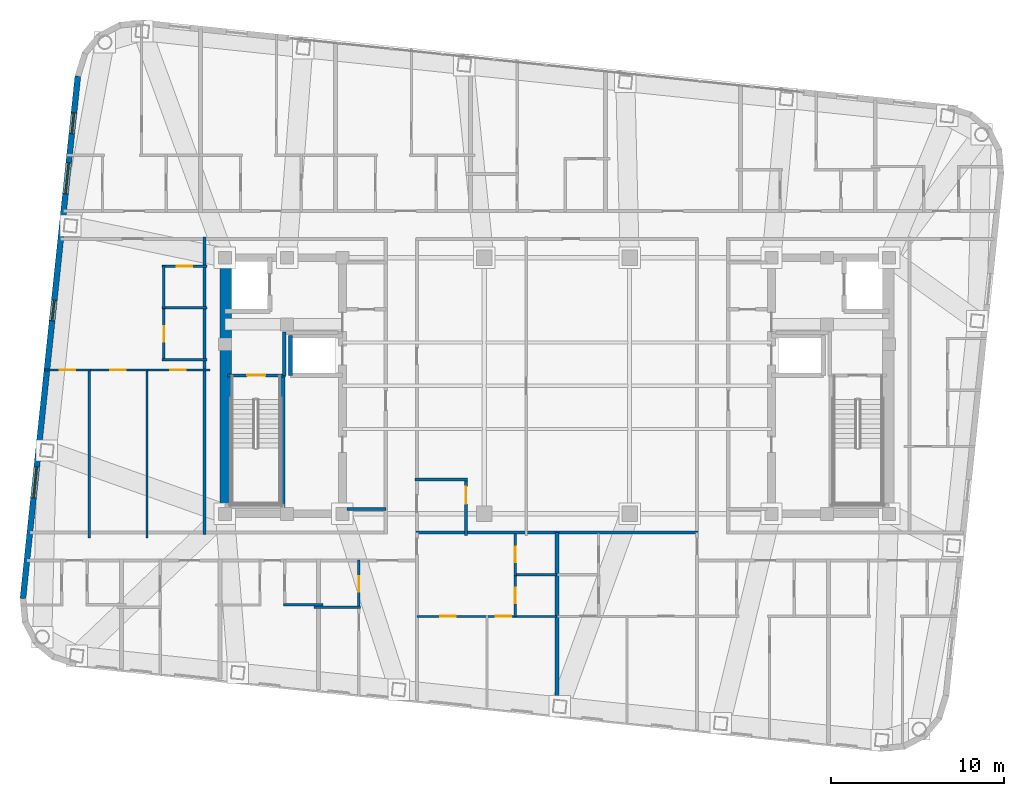
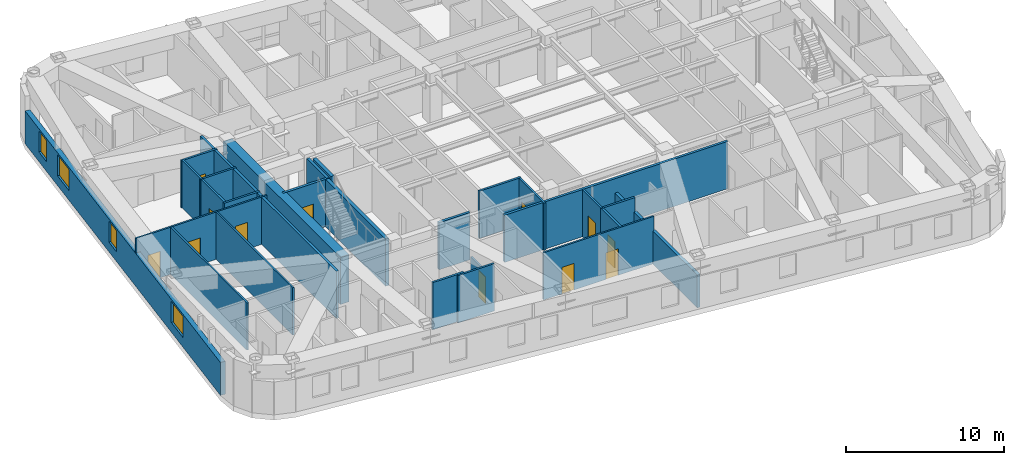
# One storey, part 9 of 16: 29 walls, 12 doors, 4 windows, 16 openings.
"""IFC4 building model written with IfcOpenShell, lengths in metres."""

from ifc_helpers import new_model, si_unit, direction, frame, frame_2d, origin, place, context, subcontext, project, spatial, rectangle, extrude, material, layer, layer_set, type_object, element, fill, save


model = new_model("IFC4")

# Units and contexts
model_context = context("Model", 3, precision=1e-05, world=origin(), true_north=direction((0.0, 1.0)))
body_context = subcontext(model_context, "Body", "Model", "MODEL_VIEW")
ifc_project = project(units=[si_unit("LENGTHUNIT", "METRE"), si_unit("AREAUNIT", "SQUARE_METRE"), si_unit("VOLUMEUNIT", "CUBIC_METRE"), si_unit("PLANEANGLEUNIT", "RADIAN"), si_unit("MASSUNIT", "GRAM", prefix="KILO")], contexts=[model_context])

# Site, building, storey
site_placement = place(None, origin())
site = spatial("IfcSite", under=ifc_project, at=site_placement, CompositionType="ELEMENT")
building_placement = place(site_placement, origin())
building = spatial("IfcBuilding", under=site, at=building_placement, Name="Voryun Gate Residences", CompositionType="ELEMENT")
storey_placement = place(building_placement, frame((0.0, 0.0, 260.0)))
storey = spatial("IfcBuildingStorey", under=building, at=storey_placement, Name="L64", CompositionType="ELEMENT", Elevation=260.0)

# Wall
ifc_material_1 = material(Name="Concrete C60/75", Category="concrete")
ifc_layer_1 = layer(ifc_material_1, 0.64990234375, Name="CW_CORE_650")
ifc_layer_set_1 = layer_set([ifc_layer_1], Name="Concrete C60/75")
wall_type_1 = type_object("IfcWallType", Name="CW_CORE_650", PredefinedType="SHEAR", material=ifc_layer_set_1)
wall_1_placement = place(storey_placement, frame((-19.14501953125, -7.39990234375, 0.0), z_axis=(0.0, 0.0, 1.0), x_axis=(0.0, 1.0, 0.0)))
element("IfcWall", 1, at=wall_1_placement, inside=storey, type_object=wall_type_1, Name="L64 Core shear wall CW-L64-WW", PredefinedType="SHEAR", context=body_context, shape_type="SweptSolid", body=[
    extrude(rectangle(XDim=14.7998046875, YDim=0.64990234375, at=frame_2d((7.39990234375, 0.0))), origin(), (0.0, 0.0, 1.0), 3.64990234375),
])

# Wall, opening, door
ifc_material_2 = material(Name="Gypsum acoustic fireboard")
ifc_layer_2 = layer(ifc_material_2, 0.179931640625, Name="W_CORR_RATED_180")
ifc_layer_set_2 = layer_set([ifc_layer_2], Name="Gypsum acoustic fireboard")
wall_type_2 = type_object("IfcWallType", Name="W_CORR_RATED_180", PredefinedType="PARTITIONING", material=ifc_layer_set_2)
wall_2_placement = place(storey_placement, frame((-19.06005859375, 0.60009765625, 0.0), z_axis=(0.0, 0.0, 1.0), x_axis=(1.0, 0.0, 0.0)))
wall_2 = element("IfcWall", 2, at=wall_2_placement, inside=storey, type_object=wall_type_2, Name="Partition wall WP-L64-STV-W", PredefinedType="PARTITIONING", context=body_context, shape_type="SweptSolid", body=[
    extrude(rectangle(XDim=3.360107421875, YDim=0.179931640625, at=frame_2d((1.68017578125, 0.0))), origin(), (0.0, 0.0, 1.0), 3.64990234375),
])
opening_1_placement = place(wall_2_placement, frame((1.155029296875, 0.0, 0.0)))
opening_1 = element("IfcOpeningElement", 3, at=opening_1_placement, cuts=wall_2, Name="Opening D-FD60-1", PredefinedType="OPENING", context=body_context, shape_type="SweptSolid", body=[
    extrude(rectangle(XDim=1.050048828125, YDim=2.050048828125, at=frame_2d((0.52490234375, 1.02490234375))), frame((0.0, 0.099853515625, 0.0), z_axis=(0.0, -1.0, 0.0), x_axis=(1.0, 0.0, 0.0)), (0.0, 0.0, 1.0), 0.199951171875),
])
ifc_material_3 = material(Name="Painted steel fire door", Category="steel")
door_type_1 = type_object("IfcDoorType", Name="DR_FD60_STAIR_1050", OperationType="NOTDEFINED", PredefinedType="DOOR", material=ifc_material_3)
door_1_placement = place(opening_1_placement, origin())
door_1 = element("IfcDoor", 4, at=door_1_placement, inside=storey, type_object=door_type_1, Name="Door DR-L64-ST-W", OperationType="SINGLE_SWING_LEFT", OverallHeight=2.050048828125, OverallWidth=1.050048828125, PredefinedType="DOOR", context=body_context, shape_type="SweptSolid", body=[
    extrude(rectangle(XDim=1.050048828125, YDim=2.050048828125, at=frame_2d((0.52490234375, 1.02490234375))), frame((0.0, 0.02490234375, 0.0), z_axis=(0.0, -1.0, 0.0), x_axis=(1.0, 0.0, 0.0)), (0.0, 0.0, 1.0), 0.050048828125),
])
fill(opening_1, door_1)

# Walls
wall_3_placement = place(storey_placement, frame((-12.14990234375, -7.1201171875, 0.0), z_axis=(0.0, 0.0, 1.0), x_axis=(1.0, 0.0, 0.0)))
element("IfcWall", 5, at=wall_3_placement, inside=storey, type_object=wall_type_2, Name="Partition wall WP-L64-PLBS-W", PredefinedType="PARTITIONING", context=body_context, shape_type="SweptSolid", body=[
    extrude(rectangle(XDim=2.27001953125, YDim=0.179931640625, at=frame_2d((1.135009765625, 0.0))), origin(), (0.0, 0.0, 1.0), 3.64990234375),
])
wall_4_placement = place(storey_placement, frame((-8.14990234375, -8.489990234375, 0.0), z_axis=(0.0, 0.0, 1.0), x_axis=(1.0, 0.0, 0.0)))
element("IfcWall", 6, at=wall_4_placement, inside=storey, type_object=wall_type_2, Name="Partition wall WP-L64-Z3S", PredefinedType="PARTITIONING", context=body_context, shape_type="SweptSolid", body=[
    extrude(rectangle(XDim=16.2998046875, YDim=0.179931640625, at=frame_2d((8.14990234375, 0.0))), origin(), (0.0, 0.0, 1.0), 3.64990234375),
])
wall_5_placement = place(storey_placement, frame((-20.3701171875, -8.610107421875, 0.0), z_axis=(0.0, 0.0, 1.0), x_axis=(0.0, 1.0, 0.0)))
element("IfcWall", 7, at=wall_5_placement, inside=storey, type_object=wall_type_2, Name="Partition wall WP-L64-WCOR", PredefinedType="PARTITIONING", context=body_context, shape_type="SweptSolid", body=[
    extrude(rectangle(XDim=17.22021484375, YDim=0.179931640625, at=frame_2d((8.610107421875, 0.0))), origin(), (0.0, 0.0, 1.0), 3.64990234375),
])

# Wall, openings, windows
ifc_material_4 = material(Name="Charcoal terracotta masonry", Category="masonry")
ifc_layer_3 = layer(ifc_material_4, 0.340087890625, Name="W_EXT_TERRACOTTA_340")
ifc_layer_set_3 = layer_set([ifc_layer_3], Name="Charcoal terracotta masonry")
wall_type_3 = type_object("IfcWallType", Name="W_EXT_TERRACOTTA_340", PredefinedType="ELEMENTEDWALL", material=ifc_layer_set_3)
wall_6_placement = place(storey_placement, frame((-30.8701171875, -12.295654296875, 0.0), z_axis=(0.0, 0.0, 1.0), x_axis=(0.104533282919, 0.994521388791, 0.0)))
wall_6 = element("IfcWall", 8, at=wall_6_placement, inside=storey, type_object=wall_type_3, Name="Exterior wall WEXT-L64-06", PredefinedType="ELEMENTEDWALL", context=body_context, shape_type="SweptSolid", body=[
    extrude(rectangle(XDim=30.366455078125, YDim=0.340087890625, at=frame_2d((15.18310546875, 0.0))), origin(), (0.0, 0.0, 1.0), 2.5400390625),
])
opening_2_placement = place(wall_6_placement, frame((5.841552734375, 0.0, 0.75)))
opening_2 = element("IfcOpeningElement", 9, at=opening_2_placement, cuts=wall_6, Name="Opening WN1", PredefinedType="OPENING", context=body_context, shape_type="SweptSolid", body=[
    extrude(rectangle(XDim=1.800048828125, YDim=1.6298828125, at=frame_2d((0.89990234375, 0.81494140625))), frame((0.0, 0.179931640625, 0.0), z_axis=(0.0, -1.0, 0.0), x_axis=(1.0, 0.0, 0.0)), (0.0, 0.0, 1.0), 0.360107421875),
])
opening_3_placement = place(wall_6_placement, frame((23.52490234375, 0.0, 0.75)))
opening_3 = element("IfcOpeningElement", 10, at=opening_3_placement, cuts=wall_6, Name="Opening WN1", PredefinedType="OPENING", context=body_context, shape_type="SweptSolid", body=[
    extrude(rectangle(XDim=1.800048828125, YDim=1.6298828125, at=frame_2d((0.89990234375, 0.81494140625))), frame((0.0, 0.179931640625, 0.0), z_axis=(0.0, -1.0, 0.0), x_axis=(1.0, 0.0, 0.0)), (0.0, 0.0, 1.0), 0.360107421875),
])
opening_4_placement = place(wall_6_placement, frame((27.0166015625, 0.0, 0.75)))
opening_4 = element("IfcOpeningElement", 11, at=opening_4_placement, cuts=wall_6, Name="Opening WN6", PredefinedType="OPENING", context=body_context, shape_type="SweptSolid", body=[
    extrude(rectangle(XDim=1.199951171875, YDim=1.6298828125, at=frame_2d((0.60009765625, 0.81494140625))), frame((0.0, 0.179931640625, 0.0), z_axis=(0.0, -1.0, 0.0), x_axis=(1.0, 0.0, 0.0)), (0.0, 0.0, 1.0), 0.360107421875),
])
opening_5_placement = place(wall_6_placement, frame((16.134521484375, 0.0, 0.75)))
opening_5 = element("IfcOpeningElement", 12, at=opening_5_placement, cuts=wall_6, Name="Opening WN6", PredefinedType="OPENING", context=body_context, shape_type="SweptSolid", body=[
    extrude(rectangle(XDim=1.199951171875, YDim=1.6298828125, at=frame_2d((0.60009765625, 0.81494140625))), frame((0.0, 0.179931640625, 0.0), z_axis=(0.0, -1.0, 0.0), x_axis=(1.0, 0.0, 0.0)), (0.0, 0.0, 1.0), 0.360107421875),
])
ifc_material_5 = material(Name="Laminated low-E glass", Category="glass")
window_type_1 = type_object("IfcWindowType", Name="WN_POD_SLOT_1200", PartitioningType="SINGLE_PANEL", PredefinedType="WINDOW", material=ifc_material_5)
window_1_placement = place(opening_4_placement, origin())
window_1 = element("IfcWindow", 13, at=window_1_placement, inside=storey, type_object=window_type_1, Name="Window WN-L64-DWFIX-01", OverallHeight=1.6298828125, OverallWidth=1.199951171875, PartitioningType="SINGLE_PANEL", PredefinedType="WINDOW", context=body_context, shape_type="SweptSolid", body=[
    extrude(rectangle(XDim=1.199951171875, YDim=1.6298828125, at=frame_2d((0.60009765625, 0.81494140625))), frame((0.0, 0.030029296875, 0.0), z_axis=(0.0, -1.0, 0.0), x_axis=(1.0, 0.0, 0.0)), (0.0, 0.0, 1.0), 0.06005859375),
])
fill(opening_4, window_1)
window_2_placement = place(opening_5_placement, origin())
window_2 = element("IfcWindow", 14, at=window_2_placement, inside=storey, type_object=window_type_1, Name="Window WN-L64-DWFIX-18", OverallHeight=1.6298828125, OverallWidth=1.199951171875, PartitioningType="SINGLE_PANEL", PredefinedType="WINDOW", context=body_context, shape_type="SweptSolid", body=[
    extrude(rectangle(XDim=1.199951171875, YDim=1.6298828125, at=frame_2d((0.60009765625, 0.81494140625))), frame((0.0, 0.030029296875, 0.0), z_axis=(0.0, -1.0, 0.0), x_axis=(1.0, 0.0, 0.0)), (0.0, 0.0, 1.0), 0.06005859375),
])
fill(opening_5, window_2)
ifc_material_6 = material(Name="Laminated low-E glass", Category="glass")
window_type_2 = type_object("IfcWindowType", Name="WN_RES_PUNCH_1800", PartitioningType="SINGLE_PANEL", PredefinedType="WINDOW", material=ifc_material_6)
window_3_placement = place(opening_2_placement, origin())
window_3 = element("IfcWindow", 15, at=window_3_placement, inside=storey, type_object=window_type_2, Name="Window WN-WEXT-L64-06-01", OverallHeight=1.6298828125, OverallWidth=1.800048828125, PartitioningType="SINGLE_PANEL", PredefinedType="WINDOW", context=body_context, shape_type="SweptSolid", body=[
    extrude(rectangle(XDim=1.800048828125, YDim=1.6298828125, at=frame_2d((0.89990234375, 0.81494140625))), frame((0.0, 0.030029296875, 0.0), z_axis=(0.0, -1.0, 0.0), x_axis=(1.0, 0.0, 0.0)), (0.0, 0.0, 1.0), 0.06005859375),
])
fill(opening_2, window_3)
window_4_placement = place(opening_3_placement, origin())
window_4 = element("IfcWindow", 16, at=window_4_placement, inside=storey, type_object=window_type_2, Name="Window WN-WEXT-L64-06-02", OverallHeight=1.6298828125, OverallWidth=1.800048828125, PartitioningType="SINGLE_PANEL", PredefinedType="WINDOW", context=body_context, shape_type="SweptSolid", body=[
    extrude(rectangle(XDim=1.800048828125, YDim=1.6298828125, at=frame_2d((0.89990234375, 0.81494140625))), frame((0.0, 0.030029296875, 0.0), z_axis=(0.0, -1.0, 0.0), x_axis=(1.0, 0.0, 0.0)), (0.0, 0.0, 1.0), 0.06005859375),
])
fill(opening_3, window_4)

# Walls
ifc_material_7 = material(Name="Concrete C40/50", Category="concrete")
ifc_layer_4 = layer(ifc_material_7, 0.199951171875, Name="W_FF_LOBBY_200")
ifc_layer_set_4 = layer_set([ifc_layer_4], Name="Concrete C40/50")
wall_type_4 = type_object("IfcWallType", Name="W_FF_LOBBY_200", PredefinedType="PARTITIONING", material=ifc_layer_set_4)
wall_7_placement = place(storey_placement, frame((-15.760009765625, 0.580078125, 0.0), z_axis=(0.0, 0.0, 1.0), x_axis=(0.0, 1.0, 0.0)))
element("IfcWall", 17, at=wall_7_placement, inside=storey, type_object=wall_type_4, Name="Partition wall WP-L64-FFP0-W", PredefinedType="PARTITIONING", context=body_context, shape_type="SweptSolid", body=[
    extrude(rectangle(XDim=2.52001953125, YDim=0.199951171875, at=frame_2d((1.260009765625, 0.0))), origin(), (0.0, 0.0, 1.0), 3.64990234375),
])
ifc_material_8 = material(Name="Concrete C40/50", Category="concrete")
ifc_layer_5 = layer(ifc_material_8, 0.219970703125, Name="W_PARTY_ACOUSTIC_220")
ifc_layer_set_5 = layer_set([ifc_layer_5], Name="Concrete C40/50")
wall_type_5 = type_object("IfcWallType", Name="W_PARTY_ACOUSTIC_220", PredefinedType="PARTITIONING", material=ifc_layer_set_5)
wall_8_placement = place(storey_placement, frame((0.0, -19.005859375, 0.0), z_axis=(0.0, 0.0, 1.0), x_axis=(0.0, 1.0, 0.0)))
element("IfcWall", 18, at=wall_8_placement, inside=storey, type_object=wall_type_5, Name="Partition wall WP-L64-SZMID", PredefinedType="PARTITIONING", context=body_context, shape_type="SweptSolid", body=[
    extrude(rectangle(XDim=10.515869140625, YDim=0.219970703125, at=frame_2d((5.2578125, 0.0))), origin(), (0.0, 0.0, 1.0), 2.5400390625),
])
ifc_material_9 = material(Name="Concrete C50/60", Category="concrete")
ifc_layer_6 = layer(ifc_material_9, 0.25, Name="W_SHAFT_RC250")
ifc_layer_set_6 = layer_set([ifc_layer_6], Name="Concrete C50/60")
wall_type_6 = type_object("IfcWallType", Name="W_SHAFT_RC250", PredefinedType="SOLIDWALL", material=ifc_layer_set_6)
wall_9_placement = place(storey_placement, frame((-15.860107421875, -7.0849609375, 0.0), z_axis=(0.0, 0.0, 1.0), x_axis=(0.0, 1.0, 0.0)))
element("IfcWall", 19, at=wall_9_placement, inside=storey, type_object=wall_type_6, Name="L64 Stair shaft structural wall W-STR", PredefinedType="SOLIDWALL", context=body_context, shape_type="SweptSolid", body=[
    extrude(rectangle(XDim=7.68505859375, YDim=0.25, at=frame_2d((3.842529296875, 0.0))), origin(), (0.0, 0.0, 1.0), 3.64990234375),
])
wall_10_placement = place(storey_placement, frame((-15.39990234375, 2.89990234375, 0.0), z_axis=(0.0, 0.0, 1.0), x_axis=(0.0, -1.0, 0.0)))
element("IfcWall", 20, at=wall_10_placement, inside=storey, type_object=wall_type_6, Name="Lift shaft wall WSH-L64-EL-P7-W", PredefinedType="SOLIDWALL", context=body_context, shape_type="SweptSolid", body=[
    extrude(rectangle(XDim=2.2998046875, YDim=0.25, at=frame_2d((1.14990234375, 0.0))), origin(), (0.0, 0.0, 1.0), 3.64990234375),
])

# Wall, openings, doors
ifc_material_10 = material(Name="Gypsum acoustic partition")
ifc_layer_7 = layer(ifc_material_10, 0.125, Name="W_UNIT_PART_125")
ifc_layer_set_7 = layer_set([ifc_layer_7], Name="Gypsum acoustic partition")
wall_type_7 = type_object("IfcWallType", Name="W_UNIT_PART_125", PredefinedType="PARTITIONING", material=ifc_layer_set_7)
wall_11_placement = place(storey_placement, frame((-8.080078125, -13.330078125, 0.0), z_axis=(0.0, 0.0, 1.0), x_axis=(1.0, 0.0, 0.0)))
wall_11 = element("IfcWall", 21, at=wall_11_placement, inside=storey, type_object=wall_type_7, Name="Partition wall WP-L64-SC1-HZ", PredefinedType="PARTITIONING", context=body_context, shape_type="SweptSolid", body=[
    extrude(rectangle(XDim=8.06005859375, YDim=0.125, at=frame_2d((4.030029296875, 0.0))), origin(), (0.0, 0.0, 1.0), 3.64990234375),
])
opening_6_placement = place(wall_11_placement, frame((1.3232421875, 0.0, 0.0)))
opening_6 = element("IfcOpeningElement", 22, at=opening_6_placement, cuts=wall_11, Name="Opening D-INT-2", PredefinedType="OPENING", context=body_context, shape_type="SweptSolid", body=[
    extrude(rectangle(XDim=0.89990234375, YDim=2.050048828125, at=frame_2d((0.449951171875, 1.02490234375))), frame((0.0, 0.072509765625, 0.0), z_axis=(0.0, -1.0, 0.0), x_axis=(1.0, 0.0, 0.0)), (0.0, 0.0, 1.0), 0.14501953125),
])
opening_7_placement = place(wall_11_placement, frame((4.547119140625, 0.0, 0.0)))
opening_7 = element("IfcOpeningElement", 23, at=opening_7_placement, cuts=wall_11, Name="Opening D-INT-2", PredefinedType="OPENING", context=body_context, shape_type="SweptSolid", body=[
    extrude(rectangle(XDim=0.89990234375, YDim=2.050048828125, at=frame_2d((0.449951171875, 1.02490234375))), frame((0.0, 0.072509765625, 0.0), z_axis=(0.0, -1.0, 0.0), x_axis=(1.0, 0.0, 0.0)), (0.0, 0.0, 1.0), 0.14501953125),
])
ifc_material_11 = material(Name="Architectural oak veneer")
door_type_2 = type_object("IfcDoorType", Name="DR_INT_BATH_900", OperationType="NOTDEFINED", PredefinedType="DOOR", material=ifc_material_11)
door_2_placement = place(opening_6_placement, origin())
door_2 = element("IfcDoor", 24, at=door_2_placement, inside=storey, type_object=door_type_2, Name="Door DR-L64-SC1-DMB", OperationType="SINGLE_SWING_LEFT", OverallHeight=2.050048828125, OverallWidth=0.89990234375, PredefinedType="DOOR", context=body_context, shape_type="SweptSolid", body=[
    extrude(rectangle(XDim=0.89990234375, YDim=2.050048828125, at=frame_2d((0.449951171875, 1.02490234375))), frame((0.0, 0.02490234375, 0.0), z_axis=(0.0, -1.0, 0.0), x_axis=(1.0, 0.0, 0.0)), (0.0, 0.0, 1.0), 0.050048828125),
])
fill(opening_6, door_2)
door_3_placement = place(opening_7_placement, origin())
door_3 = element("IfcDoor", 25, at=door_3_placement, inside=storey, type_object=door_type_2, Name="Door DR-L64-SC1-DBD2", OperationType="SINGLE_SWING_RIGHT", OverallHeight=2.050048828125, OverallWidth=0.89990234375, PredefinedType="DOOR", context=body_context, shape_type="SweptSolid", body=[
    extrude(rectangle(XDim=0.89990234375, YDim=2.050048828125, at=frame_2d((0.449951171875, 1.02490234375))), frame((0.0, 0.02490234375, 0.0), z_axis=(0.0, -1.0, 0.0), x_axis=(1.0, 0.0, 0.0)), (0.0, 0.0, 1.0), 0.050048828125),
])
fill(opening_7, door_3)

# Wall, opening, door
wall_12_placement = place(storey_placement, frame((-2.409912109375, -10.9599609375, 0.0), z_axis=(0.0, 0.0, 1.0), x_axis=(0.0, 1.0, 0.0)))
wall_12 = element("IfcWall", 26, at=wall_12_placement, inside=storey, type_object=wall_type_7, Name="Partition wall WP-L64-SC1-VK1", PredefinedType="PARTITIONING", context=body_context, shape_type="SweptSolid", body=[
    extrude(rectangle(XDim=2.409912109375, YDim=0.125, at=frame_2d((1.205078125, 0.0))), origin(), (0.0, 0.0, 1.0), 3.64990234375),
])
opening_8_placement = place(wall_12_placement, frame((0.7548828125, 0.0, 0.0)))
opening_8 = element("IfcOpeningElement", 27, at=opening_8_placement, cuts=wall_12, Name="Opening D-INT-2", PredefinedType="OPENING", context=body_context, shape_type="SweptSolid", body=[
    extrude(rectangle(XDim=0.89990234375, YDim=2.050048828125, at=frame_2d((0.449951171875, 1.02490234375))), frame((0.0, 0.072509765625, 0.0), z_axis=(0.0, -1.0, 0.0), x_axis=(1.0, 0.0, 0.0)), (0.0, 0.0, 1.0), 0.14501953125),
])
door_4_placement = place(opening_8_placement, origin())
door_4 = element("IfcDoor", 28, at=door_4_placement, inside=storey, type_object=door_type_2, Name="Door DR-L64-SC1-DK", OperationType="SINGLE_SWING_LEFT", OverallHeight=2.050048828125, OverallWidth=0.89990234375, PredefinedType="DOOR", context=body_context, shape_type="SweptSolid", body=[
    extrude(rectangle(XDim=0.89990234375, YDim=2.050048828125, at=frame_2d((0.449951171875, 1.02490234375))), frame((0.0, 0.02490234375, 0.0), z_axis=(0.0, -1.0, 0.0), x_axis=(1.0, 0.0, 0.0)), (0.0, 0.0, 1.0), 0.050048828125),
])
fill(opening_8, door_4)

wall_13_placement = place(storey_placement, frame((-29.633056640625, 0.909912109375, 0.0), z_axis=(0.0, 0.0, 1.0), x_axis=(1.0, 0.0, 0.0)))
wall_13 = element("IfcWall", 29, at=wall_13_placement, inside=storey, type_object=wall_type_7, Name="Partition wall WP-L64-W1-HZMB1", PredefinedType="PARTITIONING", context=body_context, shape_type="SweptSolid", body=[
    extrude(rectangle(XDim=2.654541015625, YDim=0.125, at=frame_2d((1.3271484375, 0.0))), origin(), (0.0, 0.0, 1.0), 3.64990234375),
])
opening_9_placement = place(wall_13_placement, frame((0.885986328125, 0.0, 0.0)))
opening_9 = element("IfcOpeningElement", 30, at=opening_9_placement, cuts=wall_13, Name="Opening D-INT-2", PredefinedType="OPENING", context=body_context, shape_type="SweptSolid", body=[
    extrude(rectangle(XDim=0.89990234375, YDim=2.050048828125, at=frame_2d((0.449951171875, 1.02490234375))), frame((0.0, 0.072509765625, 0.0), z_axis=(0.0, -1.0, 0.0), x_axis=(1.0, 0.0, 0.0)), (0.0, 0.0, 1.0), 0.14501953125),
])
door_5_placement = place(opening_9_placement, origin())
door_5 = element("IfcDoor", 31, at=door_5_placement, inside=storey, type_object=door_type_2, Name="Door DR-L64-W1-DMB", OperationType="SINGLE_SWING_LEFT", OverallHeight=2.050048828125, OverallWidth=0.89990234375, PredefinedType="DOOR", context=body_context, shape_type="SweptSolid", body=[
    extrude(rectangle(XDim=0.89990234375, YDim=2.050048828125, at=frame_2d((0.449951171875, 1.02490234375))), frame((0.0, 0.02490234375, 0.0), z_axis=(0.0, -1.0, 0.0), x_axis=(1.0, 0.0, 0.0)), (0.0, 0.0, 1.0), 0.050048828125),
])
fill(opening_9, door_5)

wall_14_placement = place(storey_placement, frame((-27.103515625, 0.909912109375, 0.0), z_axis=(0.0, 0.0, 1.0), x_axis=(1.0, 0.0, 0.0)))
wall_14 = element("IfcWall", 32, at=wall_14_placement, inside=storey, type_object=wall_type_7, Name="Partition wall WP-L64-W1-HZMB2", PredefinedType="PARTITIONING", context=body_context, shape_type="SweptSolid", body=[
    extrude(rectangle(XDim=3.4609375, YDim=0.125, at=frame_2d((1.73046875, 0.0))), origin(), (0.0, 0.0, 1.0), 3.64990234375),
])
opening_10_placement = place(wall_14_placement, frame((1.280517578125, 0.0, 0.0)))
opening_10 = element("IfcOpeningElement", 33, at=opening_10_placement, cuts=wall_14, Name="Opening D-INT-2", PredefinedType="OPENING", context=body_context, shape_type="SweptSolid", body=[
    extrude(rectangle(XDim=0.89990234375, YDim=2.050048828125, at=frame_2d((0.449951171875, 1.02490234375))), frame((0.0, 0.072509765625, 0.0), z_axis=(0.0, -1.0, 0.0), x_axis=(1.0, 0.0, 0.0)), (0.0, 0.0, 1.0), 0.14501953125),
])
door_6_placement = place(opening_10_placement, origin())
door_6 = element("IfcDoor", 34, at=door_6_placement, inside=storey, type_object=door_type_2, Name="Door DR-L64-W1-DBD2", OperationType="SINGLE_SWING_RIGHT", OverallHeight=2.050048828125, OverallWidth=0.89990234375, PredefinedType="DOOR", context=body_context, shape_type="SweptSolid", body=[
    extrude(rectangle(XDim=0.89990234375, YDim=2.050048828125, at=frame_2d((0.449951171875, 1.02490234375))), frame((0.0, 0.02490234375, 0.0), z_axis=(0.0, -1.0, 0.0), x_axis=(1.0, 0.0, 0.0)), (0.0, 0.0, 1.0), 0.050048828125),
])
fill(opening_10, door_6)

wall_15_placement = place(storey_placement, frame((-23.767578125, 0.909912109375, 0.0), z_axis=(0.0, 0.0, 1.0), x_axis=(1.0, 0.0, 0.0)))
wall_15 = element("IfcWall", 35, at=wall_15_placement, inside=storey, type_object=wall_type_7, Name="Partition wall WP-L64-W1-HZMB3", PredefinedType="PARTITIONING", context=body_context, shape_type="SweptSolid", body=[
    extrude(rectangle(XDim=3.717529296875, YDim=0.125, at=frame_2d((1.85888671875, 0.0))), origin(), (0.0, 0.0, 1.0), 3.64990234375),
])
opening_11_placement = place(wall_15_placement, frame((1.39990234375, 0.0, 0.0)))
opening_11 = element("IfcOpeningElement", 36, at=opening_11_placement, cuts=wall_15, Name="Opening D-INT-2", PredefinedType="OPENING", context=body_context, shape_type="SweptSolid", body=[
    extrude(rectangle(XDim=0.89990234375, YDim=2.050048828125, at=frame_2d((0.449951171875, 1.02490234375))), frame((0.0, 0.072509765625, 0.0), z_axis=(0.0, -1.0, 0.0), x_axis=(1.0, 0.0, 0.0)), (0.0, 0.0, 1.0), 0.14501953125),
])
door_7_placement = place(opening_11_placement, origin())
door_7 = element("IfcDoor", 37, at=door_7_placement, inside=storey, type_object=door_type_2, Name="Door DR-L64-W1-DBD3", OperationType="SINGLE_SWING_LEFT", OverallHeight=2.050048828125, OverallWidth=0.89990234375, PredefinedType="DOOR", context=body_context, shape_type="SweptSolid", body=[
    extrude(rectangle(XDim=0.89990234375, YDim=2.050048828125, at=frame_2d((0.449951171875, 1.02490234375))), frame((0.0, 0.02490234375, 0.0), z_axis=(0.0, -1.0, 0.0), x_axis=(1.0, 0.0, 0.0)), (0.0, 0.0, 1.0), 0.050048828125),
])
fill(opening_11, door_7)

# Walls
for number, where, z_axis, x_axis, name in (
    (38, (-23.705078125, -8.81005859375, 0.0), (0.0, 0.0, 1.0), (0.0, 1.0, 0.0), "Partition wall WP-L64-W1-VMB2"),
    (39, (-27.041015625, -8.81005859375, 0.0), (0.0, 0.0, 1.0), (0.0, 1.0, 0.0), "Partition wall WP-L64-W1-VMB"),
):
    element("IfcWall", number, at=place(storey_placement, frame(where, z_axis=z_axis, x_axis=x_axis)), inside=storey, type_object=wall_type_7, Name=name, PredefinedType="PARTITIONING", context=body_context, shape_type="SweptSolid", body=[
        extrude(rectangle(XDim=9.780029296875, YDim=0.125, at=frame_2d((4.89013671875, 0.0))), origin(), (0.0, 0.0, 1.0), 3.64990234375),
    ])

# Wall, opening, door
ifc_material_12 = material(Name="Gypsum moisture-resistant partition")
ifc_layer_8 = layer(ifc_material_12, 0.14990234375, Name="W_WET_PLUMB_150")
ifc_layer_set_8 = layer_set([ifc_layer_8], Name="Gypsum moisture-resistant partition")
wall_type_8 = type_object("IfcWallType", Name="W_WET_PLUMB_150", PredefinedType="PLUMBINGWALL", material=ifc_layer_set_8)
wall_16_placement = place(storey_placement, frame((-5.260009765625, -8.669921875, 0.0), z_axis=(0.0, 0.0, 1.0), x_axis=(0.0, 1.0, 0.0)))
wall_16 = element("IfcWall", 40, at=wall_16_placement, inside=storey, type_object=wall_type_8, Name="Partition wall WP-L64-CMWCX", PredefinedType="PLUMBINGWALL", context=body_context, shape_type="SweptSolid", body=[
    extrude(rectangle(XDim=3.349853515625, YDim=0.14990234375, at=frame_2d((1.6748046875, 0.0))), origin(), (0.0, 0.0, 1.0), 3.64990234375),
])
opening_12_placement = place(wall_16_placement, frame((1.8349609375, 0.0, 0.0)))
opening_12 = element("IfcOpeningElement", 41, at=opening_12_placement, cuts=wall_16, Name="Opening D-AWC-1", PredefinedType="OPENING", context=body_context, shape_type="SweptSolid", body=[
    extrude(rectangle(XDim=1.0, YDim=2.050048828125, at=frame_2d((0.5, 1.02490234375))), frame((0.0, 0.0849609375, 0.0), z_axis=(0.0, -1.0, 0.0), x_axis=(1.0, 0.0, 0.0)), (0.0, 0.0, 1.0), 0.169921875),
])
ifc_material_13 = material(Name="Architectural oak veneer")
door_type_3 = type_object("IfcDoorType", Name="DR_ACC_WC_1000", OperationType="NOTDEFINED", PredefinedType="DOOR", material=ifc_material_13)
door_8_placement = place(opening_12_placement, origin())
door_8 = element("IfcDoor", 42, at=door_8_placement, inside=storey, type_object=door_type_3, Name="Door DR-L64-CMWC", OperationType="SINGLE_SWING_LEFT", OverallHeight=2.050048828125, OverallWidth=1.0, PredefinedType="DOOR", context=body_context, shape_type="SweptSolid", body=[
    extrude(rectangle(XDim=1.0, YDim=2.050048828125, at=frame_2d((0.5, 1.02490234375))), frame((0.0, 0.02490234375, 0.0), z_axis=(0.0, -1.0, 0.0), x_axis=(1.0, 0.0, 0.0)), (0.0, 0.0, 1.0), 0.050048828125),
])
fill(opening_12, door_8)

# Walls
wall_17_placement = place(storey_placement, frame((-8.2099609375, -5.419921875, 0.0), z_axis=(0.0, 0.0, 1.0), x_axis=(1.0, 0.0, 0.0)))
element("IfcWall", 43, at=wall_17_placement, inside=storey, type_object=wall_type_8, Name="Partition wall WP-L64-CMWCY", PredefinedType="PLUMBINGWALL", context=body_context, shape_type="SweptSolid", body=[
    extrude(rectangle(XDim=3.050048828125, YDim=0.14990234375, at=frame_2d((1.52490234375, 0.0))), origin(), (0.0, 0.0, 1.0), 3.64990234375),
])
wall_18_placement = place(storey_placement, frame((-15.7958984375, -12.669921875, 0.0), z_axis=(0.0, 0.0, 1.0), x_axis=(1.0, 0.0, 0.0)))
element("IfcWall", 44, at=wall_18_placement, inside=storey, type_object=wall_type_8, Name="Partition wall WP-L64-S3-CHB", PredefinedType="PLUMBINGWALL", context=body_context, shape_type="SweptSolid", body=[
    extrude(rectangle(XDim=2.27685546875, YDim=0.14990234375, at=frame_2d((1.138427734375, 0.0))), origin(), (0.0, 0.0, 1.0), 3.64990234375),
])
wall_19_placement = place(storey_placement, frame((-14.0390625, -12.800048828125, 0.0), z_axis=(0.0, 0.0, 1.0), x_axis=(1.0, 0.0, 0.0)))
element("IfcWall", 45, at=wall_19_placement, inside=storey, type_object=wall_type_8, Name="Partition wall WP-L64-S4-SKB", PredefinedType="PLUMBINGWALL", context=body_context, shape_type="SweptSolid", body=[
    extrude(rectangle(XDim=2.671142578125, YDim=0.14990234375, at=frame_2d((1.33544921875, 0.0))), origin(), (0.0, 0.0, 1.0), 3.64990234375),
])

# Wall, opening, door
wall_20_placement = place(storey_placement, frame((-11.447998046875, -12.840087890625, 0.0), z_axis=(0.0, 0.0, 1.0), x_axis=(0.0, 1.0, 0.0)))
wall_20 = element("IfcWall", 46, at=wall_20_placement, inside=storey, type_object=wall_type_8, Name="Partition wall WP-L64-S4-SVT2", PredefinedType="PLUMBINGWALL", context=body_context, shape_type="SweptSolid", body=[
    extrude(rectangle(XDim=2.760009765625, YDim=0.14990234375, at=frame_2d((1.3798828125, 0.0))), origin(), (0.0, 0.0, 1.0), 2.5400390625),
])
opening_13_placement = place(wall_20_placement, frame((0.929931640625, 0.0, 0.0)))
opening_13 = element("IfcOpeningElement", 47, at=opening_13_placement, cuts=wall_20, Name="Opening D-INT-2", PredefinedType="OPENING", context=body_context, shape_type="SweptSolid", body=[
    extrude(rectangle(XDim=0.89990234375, YDim=2.050048828125, at=frame_2d((0.449951171875, 1.02490234375))), frame((0.0, 0.0849609375, 0.0), z_axis=(0.0, -1.0, 0.0), x_axis=(1.0, 0.0, 0.0)), (0.0, 0.0, 1.0), 0.169921875),
])
door_9_placement = place(opening_13_placement, origin())
door_9 = element("IfcDoor", 48, at=door_9_placement, inside=storey, type_object=door_type_2, Name="Door DR-L64-S4-DB", OperationType="SINGLE_SWING_RIGHT", OverallHeight=2.050048828125, OverallWidth=0.89990234375, PredefinedType="DOOR", context=body_context, shape_type="SweptSolid", body=[
    extrude(rectangle(XDim=0.89990234375, YDim=2.050048828125, at=frame_2d((0.449951171875, 1.02490234375))), frame((0.0, 0.02490234375, 0.0), z_axis=(0.0, -1.0, 0.0), x_axis=(1.0, 0.0, 0.0)), (0.0, 0.0, 1.0), 0.050048828125),
])
fill(opening_13, door_9)

wall_21_placement = place(storey_placement, frame((-2.409912109375, -13.3701171875, 0.0), z_axis=(0.0, 0.0, 1.0), x_axis=(0.0, 1.0, 0.0)))
wall_21 = element("IfcWall", 49, at=wall_21_placement, inside=storey, type_object=wall_type_8, Name="Partition wall WP-L64-SC1-VK2", PredefinedType="PLUMBINGWALL", context=body_context, shape_type="SweptSolid", body=[
    extrude(rectangle(XDim=2.47021484375, YDim=0.14990234375, at=frame_2d((1.235107421875, 0.0))), origin(), (0.0, 0.0, 1.0), 3.64990234375),
])
opening_14_placement = place(wall_21_placement, frame((0.784912109375, 0.0, 0.0)))
opening_14 = element("IfcOpeningElement", 50, at=opening_14_placement, cuts=wall_21, Name="Opening D-INT-2", PredefinedType="OPENING", context=body_context, shape_type="SweptSolid", body=[
    extrude(rectangle(XDim=0.89990234375, YDim=2.050048828125, at=frame_2d((0.449951171875, 1.02490234375))), frame((0.0, 0.0849609375, 0.0), z_axis=(0.0, -1.0, 0.0), x_axis=(1.0, 0.0, 0.0)), (0.0, 0.0, 1.0), 0.169921875),
])
door_10_placement = place(opening_14_placement, origin())
door_10 = element("IfcDoor", 51, at=door_10_placement, inside=storey, type_object=door_type_2, Name="Door DR-L64-SC1-DB", OperationType="SINGLE_SWING_RIGHT", OverallHeight=2.050048828125, OverallWidth=0.89990234375, PredefinedType="DOOR", context=body_context, shape_type="SweptSolid", body=[
    extrude(rectangle(XDim=0.89990234375, YDim=2.050048828125, at=frame_2d((0.449951171875, 1.02490234375))), frame((0.0, 0.02490234375, 0.0), z_axis=(0.0, -1.0, 0.0), x_axis=(1.0, 0.0, 0.0)), (0.0, 0.0, 1.0), 0.050048828125),
])
fill(opening_14, door_10)

# Wall
wall_22_placement = place(storey_placement, frame((-2.449951171875, -10.929931640625, 0.0), z_axis=(0.0, 0.0, 1.0), x_axis=(1.0, 0.0, 0.0)))
element("IfcWall", 52, at=wall_22_placement, inside=storey, type_object=wall_type_8, Name="Partition wall WP-L64-SC1-HKB", PredefinedType="PLUMBINGWALL", context=body_context, shape_type="SweptSolid", body=[
    extrude(rectangle(XDim=2.429931640625, YDim=0.14990234375, at=frame_2d((1.21484375, 0.0))), origin(), (0.0, 0.0, 1.0), 3.64990234375),
])

# Wall, opening, door
wall_23_placement = place(storey_placement, frame((-22.840087890625, 6.89990234375, 0.0), z_axis=(0.0, 0.0, 1.0), x_axis=(1.0, 0.0, 0.0)))
wall_23 = element("IfcWall", 53, at=wall_23_placement, inside=storey, type_object=wall_type_8, Name="Partition wall WP-L64-W1-IBT", PredefinedType="PLUMBINGWALL", context=body_context, shape_type="SweptSolid", body=[
    extrude(rectangle(XDim=2.6201171875, YDim=0.14990234375, at=frame_2d((1.31005859375, 0.0))), origin(), (0.0, 0.0, 1.0), 3.64990234375),
])
opening_15_placement = place(wall_23_placement, frame((0.860107421875, 0.0, 0.0)))
opening_15 = element("IfcOpeningElement", 54, at=opening_15_placement, cuts=wall_23, Name="Opening D-INT-2", PredefinedType="OPENING", context=body_context, shape_type="SweptSolid", body=[
    extrude(rectangle(XDim=0.89990234375, YDim=2.050048828125, at=frame_2d((0.449951171875, 1.02490234375))), frame((0.0, 0.0849609375, 0.0), z_axis=(0.0, -1.0, 0.0), x_axis=(1.0, 0.0, 0.0)), (0.0, 0.0, 1.0), 0.169921875),
])
door_11_placement = place(opening_15_placement, origin())
door_11 = element("IfcDoor", 55, at=door_11_placement, inside=storey, type_object=door_type_2, Name="Door DR-L64-W1-DK", OperationType="SINGLE_SWING_LEFT", OverallHeight=2.050048828125, OverallWidth=0.89990234375, PredefinedType="DOOR", context=body_context, shape_type="SweptSolid", body=[
    extrude(rectangle(XDim=0.89990234375, YDim=2.050048828125, at=frame_2d((0.449951171875, 1.02490234375))), frame((0.0, 0.02490234375, 0.0), z_axis=(0.0, -1.0, 0.0), x_axis=(1.0, 0.0, 0.0)), (0.0, 0.0, 1.0), 0.050048828125),
])
fill(opening_15, door_11)

# Walls
for number, where, z_axis, x_axis, name in (
    (56, (-22.840087890625, 4.52001953125, 0.0), (0.0, 0.0, 1.0), (1.0, 0.0, 0.0), "Partition wall WP-L64-W1-IKB"),
    (57, (-22.840087890625, 1.5, 0.0), (0.0, 0.0, 1.0), (1.0, 0.0, 0.0), "Partition wall WP-L64-W1-IBB"),
):
    element("IfcWall", number, at=place(storey_placement, frame(where, z_axis=z_axis, x_axis=x_axis)), inside=storey, type_object=wall_type_8, Name=name, PredefinedType="PLUMBINGWALL", context=body_context, shape_type="SweptSolid", body=[
        extrude(rectangle(XDim=2.6201171875, YDim=0.14990234375, at=frame_2d((1.31005859375, 0.0))), origin(), (0.0, 0.0, 1.0), 3.64990234375),
    ])

# Wall, opening, door
wall_24_placement = place(storey_placement, frame((-22.719970703125, 1.43994140625, 0.0), z_axis=(0.0, 0.0, 1.0), x_axis=(0.0, 1.0, 0.0)))
wall_24 = element("IfcWall", 58, at=wall_24_placement, inside=storey, type_object=wall_type_8, Name="Partition wall WP-L64-W1-VTSK1", PredefinedType="PLUMBINGWALL", context=body_context, shape_type="SweptSolid", body=[
    extrude(rectangle(XDim=3.1201171875, YDim=0.14990234375, at=frame_2d((1.56005859375, 0.0))), origin(), (0.0, 0.0, 1.0), 3.64990234375),
])
opening_16_placement = place(wall_24_placement, frame((1.110107421875, 0.0, 0.0)))
opening_16 = element("IfcOpeningElement", 59, at=opening_16_placement, cuts=wall_24, Name="Opening D-INT-2", PredefinedType="OPENING", context=body_context, shape_type="SweptSolid", body=[
    extrude(rectangle(XDim=0.89990234375, YDim=2.050048828125, at=frame_2d((0.449951171875, 1.02490234375))), frame((0.0, 0.0849609375, 0.0), z_axis=(0.0, -1.0, 0.0), x_axis=(1.0, 0.0, 0.0)), (0.0, 0.0, 1.0), 0.169921875),
])
door_12_placement = place(opening_16_placement, origin())
door_12 = element("IfcDoor", 60, at=door_12_placement, inside=storey, type_object=door_type_2, Name="Door DR-L64-W1-DB", OperationType="SINGLE_SWING_RIGHT", OverallHeight=2.050048828125, OverallWidth=0.89990234375, PredefinedType="DOOR", context=body_context, shape_type="SweptSolid", body=[
    extrude(rectangle(XDim=0.89990234375, YDim=2.050048828125, at=frame_2d((0.449951171875, 1.02490234375))), frame((0.0, 0.02490234375, 0.0), z_axis=(0.0, -1.0, 0.0), x_axis=(1.0, 0.0, 0.0)), (0.0, 0.0, 1.0), 0.050048828125),
])
fill(opening_16, door_12)

# Wall
wall_25_placement = place(storey_placement, frame((-22.719970703125, 4.47998046875, 0.0), z_axis=(0.0, 0.0, 1.0), x_axis=(0.0, 1.0, 0.0)))
element("IfcWall", 61, at=wall_25_placement, inside=storey, type_object=wall_type_8, Name="Partition wall WP-L64-W1-VTSK2", PredefinedType="PLUMBINGWALL", context=body_context, shape_type="SweptSolid", body=[
    extrude(rectangle(XDim=2.47998046875, YDim=0.14990234375, at=frame_2d((1.239990234375, 0.0))), origin(), (0.0, 0.0, 1.0), 3.64990234375),
])

save(model, "model.ifc")
